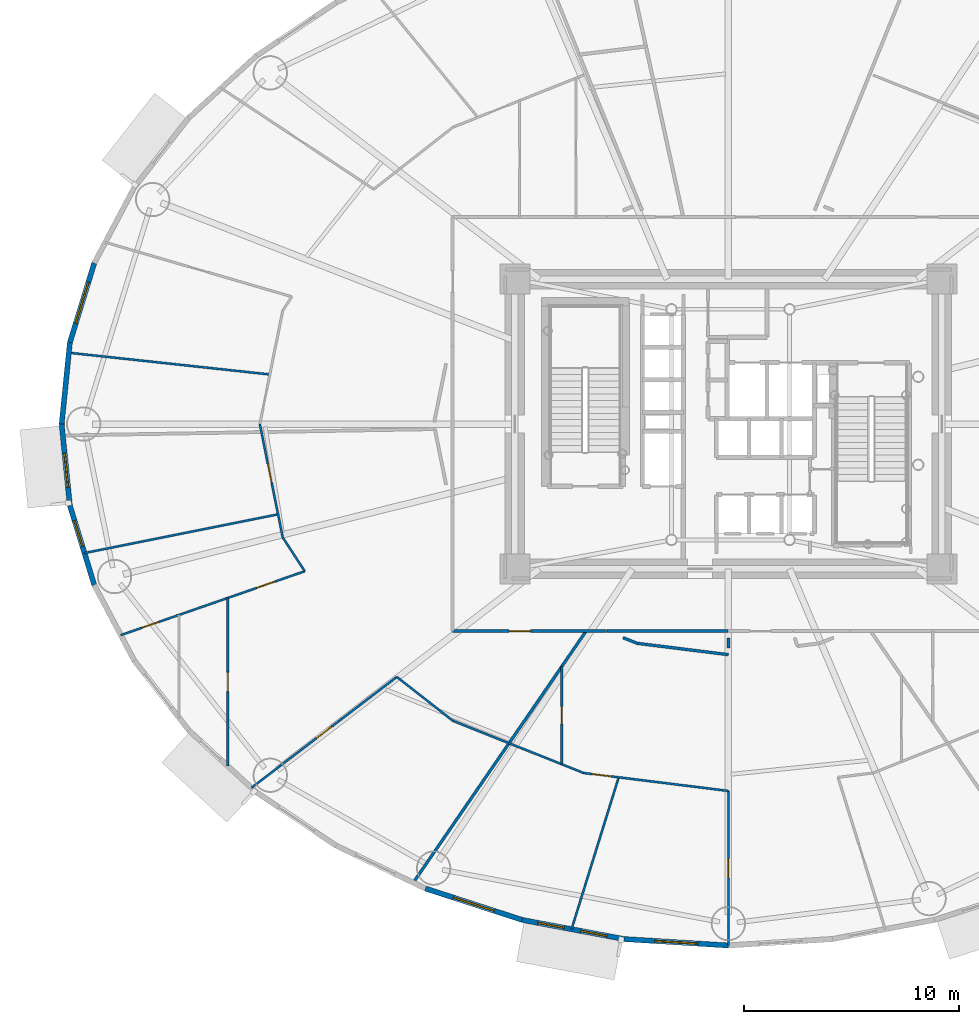
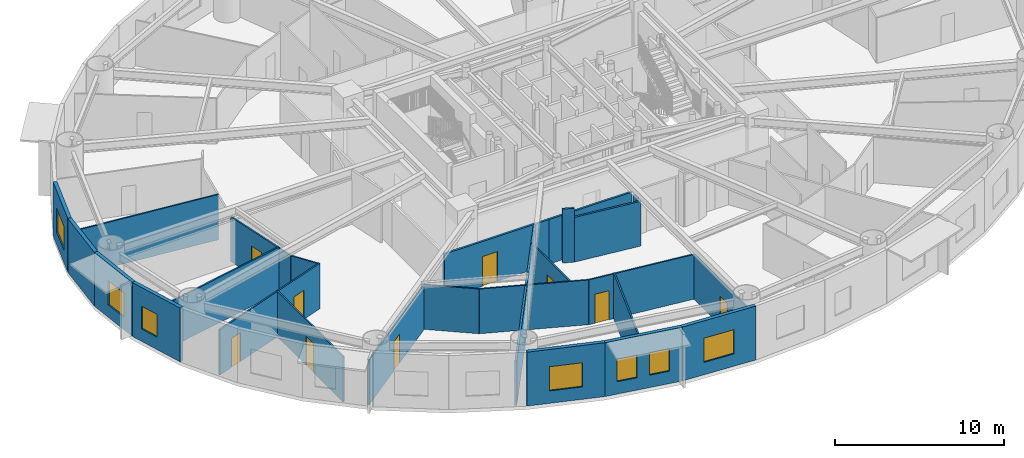
# One storey, part 8 of 21: 26 walls, 9 doors, 7 windows, 16 openings.
"""IFC4 building model written with IfcOpenShell, lengths in metres."""

from ifc_helpers import new_model, si_unit, direction, frame, frame_2d, origin, origin_2d, place, context, subcontext, project, spatial, rectangle, extrude, source, transform, mapped, material, layer, layer_set, type_object, element, fill, save


model = new_model("IFC4")

# Units and contexts
model_context = context("Model", 3, precision=1e-05, world=origin(), true_north=direction((0.0, 1.0)))
body_context = subcontext(model_context, "Body", "Model", "MODEL_VIEW")
ifc_project = project(units=[si_unit("LENGTHUNIT", "METRE"), si_unit("AREAUNIT", "SQUARE_METRE"), si_unit("VOLUMEUNIT", "CUBIC_METRE"), si_unit("PLANEANGLEUNIT", "RADIAN"), si_unit("MASSUNIT", "GRAM", prefix="KILO")], contexts=[model_context])

# Site, building, storey
site_placement = place(None, origin())
site = spatial("IfcSite", under=ifc_project, at=site_placement, CompositionType="ELEMENT")
building_placement = place(site_placement, origin())
building = spatial("IfcBuilding", under=site, at=building_placement, Name="Linh Dai School and Residence Tower", CompositionType="ELEMENT")
storey_placement = place(building_placement, frame((0.0, 0.0, 82.800048828125)))
storey = spatial("IfcBuildingStorey", under=building, at=storey_placement, Name="L19", CompositionType="ELEMENT", Elevation=82.800048828125)

# Wall, opening, window
ifc_material_1 = material(Name="Precast Concrete B45 (C35/45)", Category="concrete")
ifc_layer_1 = layer(ifc_material_1, 0.239990234375)
ifc_layer_set_1 = layer_set([ifc_layer_1], Name="Precast Concrete B45 (C35/45)")
wall_type_1 = type_object("IfcWallType", Name="EW-TC-240", PredefinedType="SOLIDWALL", material=ifc_layer_set_1)
wall_1_placement = place(storey_placement, frame((5.306640625, 30.796875, 0.0), z_axis=(0.0, 0.0, 1.0), x_axis=(0.293111631758, 0.956078224482, 0.0)))
wall_1 = element("IfcWall", 1, at=wall_1_placement, inside=storey, type_object=wall_type_1, Name="L19 Terracotta Exterior Wall 19", PredefinedType="SOLIDWALL", context=body_context, shape_type="SweptSolid", body=[
    extrude(rectangle(XDim=3.874755859375, YDim=0.239990234375, at=frame_2d((1.9375, 0.0))), origin(), (0.0, 0.0, 1.0), 3.89990234375),
])
opening_1_placement = place(wall_1_placement, frame((0.9375, 0.0, 0.89990234375)))
opening_1 = element("IfcOpeningElement", 2, at=opening_1_placement, cuts=wall_1, Name="Opening W1", PredefinedType="OPENING", context=body_context, shape_type="SweptSolid", body=[
    extrude(rectangle(XDim=2.0, YDim=1.75, at=origin_2d()), frame((1.0, 0.1298828125, 0.875), z_axis=(0.0, -1.0, 0.0), x_axis=(1.0, 0.0, 0.0)), (0.0, 0.0, 1.0), 0.260009765625),
])
ifc_material_2 = material(Name="Double Low-E Insulated Glazing", Category="glass")
window_type_1 = type_object("IfcWindowType", Name="WN-RES-2000x1750", PartitioningType="DOUBLE_PANEL_VERTICAL", PredefinedType="WINDOW", material=ifc_material_2)
shared_shape_1 = source(origin(), body_context, "Body", "SweptSolid", [
    extrude(rectangle(XDim=2.0, YDim=1.75, at=origin_2d()), frame((1.0, 0.030029296875, 0.875), z_axis=(0.0, -1.0, 0.0), x_axis=(1.0, 0.0, 0.0)), (0.0, 0.0, 1.0), 0.06005859375),
])
window_1_placement = place(opening_1_placement, origin())
window_1 = element("IfcWindow", 3, at=window_1_placement, inside=storey, type_object=window_type_1, Name="L19 Exterior Window 19.1", OverallHeight=1.75, OverallWidth=2.0, PartitioningType="DOUBLE_PANEL_VERTICAL", PredefinedType="WINDOW", context=body_context, shape_type="MappedRepresentation", body=[
    mapped(shared_shape_1, transform((0.0, 0.0, 0.0), x_axis=(1.0, 0.0, 0.0), y_axis=(0.0, 1.0, 0.0), z_axis=(0.0, 0.0, 1.0), scale=1.0)),
])
fill(opening_1, window_1)

# Wall
wall_2_placement = place(storey_placement, frame((4.925048828125, 27.0, 0.0), z_axis=(0.0, 0.0, 1.0), x_axis=(0.099997795174, 0.994987658698, 0.0)))
element("IfcWall", 4, at=wall_2_placement, inside=storey, type_object=wall_type_1, Name="L19 Terracotta Exterior Wall 20", PredefinedType="SOLIDWALL", context=body_context, shape_type="SweptSolid", body=[
    extrude(rectangle(XDim=3.81591796875, YDim=0.239990234375, at=frame_2d((1.907958984375, 0.0))), origin(), (0.0, 0.0, 1.0), 3.89990234375),
])

# Wall, opening, window
wall_3_placement = place(storey_placement, frame((5.306640625, 23.203125, 0.0), z_axis=(0.0, 0.0, 1.0), x_axis=(-0.099997795174, 0.994987658698, 0.0)))
wall_3 = element("IfcWall", 5, at=wall_3_placement, inside=storey, type_object=wall_type_1, Name="L19 Terracotta Exterior Wall 21", PredefinedType="SOLIDWALL", context=body_context, shape_type="SweptSolid", body=[
    extrude(rectangle(XDim=3.81591796875, YDim=0.239990234375, at=frame_2d((1.907958984375, 0.0))), origin(), (0.0, 0.0, 1.0), 3.89990234375),
])
opening_2_placement = place(wall_3_placement, frame((0.8408203125, 0.0, 0.89990234375)))
opening_2 = element("IfcOpeningElement", 6, at=opening_2_placement, cuts=wall_3, Name="Opening W2", PredefinedType="OPENING", context=body_context, shape_type="SweptSolid", body=[
    extrude(rectangle(XDim=1.60009765625, YDim=1.75, at=origin_2d()), frame((0.800048828125, 0.1298828125, 0.875), z_axis=(0.0, -1.0, 0.0), x_axis=(1.0, 0.0, 0.0)), (0.0, 0.0, 1.0), 0.260009765625),
])
window_type_2 = type_object("IfcWindowType", Name="WN-RES-1600x1750", PartitioningType="DOUBLE_PANEL_VERTICAL", PredefinedType="WINDOW", material=ifc_material_2)
shared_shape_2 = source(origin(), body_context, "Body", "SweptSolid", [
    extrude(rectangle(XDim=1.60009765625, YDim=1.75, at=origin_2d()), frame((0.800048828125, 0.030029296875, 0.875), z_axis=(0.0, -1.0, 0.0), x_axis=(1.0, 0.0, 0.0)), (0.0, 0.0, 1.0), 0.06005859375),
])
window_2_placement = place(opening_2_placement, origin())
window_2 = element("IfcWindow", 7, at=window_2_placement, inside=storey, type_object=window_type_2, Name="L19 Exterior Window 21.1", OverallHeight=1.75, OverallWidth=1.60009765625, PartitioningType="DOUBLE_PANEL_VERTICAL", PredefinedType="WINDOW", context=body_context, shape_type="MappedRepresentation", body=[
    mapped(shared_shape_2, transform((0.0, 0.0, 0.0), x_axis=(1.0, 0.0, 0.0), y_axis=(0.0, 1.0, 0.0), z_axis=(0.0, 0.0, 1.0), scale=1.0)),
])
fill(opening_2, window_2)

wall_4_placement = place(storey_placement, frame((6.4423828125, 19.49853515625, 0.0), z_axis=(0.0, 0.0, 1.0), x_axis=(-0.293111631758, 0.956078224482, 0.0)))
wall_4 = element("IfcWall", 8, at=wall_4_placement, inside=storey, type_object=wall_type_1, Name="L19 Terracotta Exterior Wall 22", PredefinedType="SOLIDWALL", context=body_context, shape_type="SweptSolid", body=[
    extrude(rectangle(XDim=3.874755859375, YDim=0.239990234375, at=frame_2d((1.9375, 0.0))), origin(), (0.0, 0.0, 1.0), 3.89990234375),
])
opening_3_placement = place(wall_4_placement, frame((1.886962890625, 0.0, 0.89990234375)))
opening_3 = element("IfcOpeningElement", 9, at=opening_3_placement, cuts=wall_4, Name="Opening W3", PredefinedType="OPENING", context=body_context, shape_type="SweptSolid", body=[
    extrude(rectangle(XDim=1.25, YDim=1.64990234375, at=origin_2d()), frame((0.625, 0.1298828125, 0.824951171875), z_axis=(0.0, -1.0, 0.0), x_axis=(1.0, 0.0, 0.0)), (0.0, 0.0, 1.0), 0.260009765625),
])
window_type_3 = type_object("IfcWindowType", Name="WN-RES-1250x1650", PartitioningType="SINGLE_PANEL", PredefinedType="WINDOW", material=ifc_material_2)
shared_shape_3 = source(origin(), body_context, "Body", "SweptSolid", [
    extrude(rectangle(XDim=1.25, YDim=1.64990234375, at=origin_2d()), frame((0.625, 0.030029296875, 0.824951171875), z_axis=(0.0, -1.0, 0.0), x_axis=(1.0, 0.0, 0.0)), (0.0, 0.0, 1.0), 0.06005859375),
])
window_3_placement = place(opening_3_placement, origin())
window_3 = element("IfcWindow", 10, at=window_3_placement, inside=storey, type_object=window_type_3, Name="L19 Exterior Window 22.1", OverallHeight=1.64990234375, OverallWidth=1.25, PartitioningType="SINGLE_PANEL", PredefinedType="WINDOW", context=body_context, shape_type="MappedRepresentation", body=[
    mapped(shared_shape_3, transform((0.0, 0.0, 0.0), x_axis=(1.0, 0.0, 0.0), y_axis=(0.0, 1.0, 0.0), z_axis=(0.0, 0.0, 1.0), scale=1.0)),
])
fill(opening_3, window_3)

wall_5_placement = place(storey_placement, frame((26.389404296875, 3.88671875, 0.0), z_axis=(0.0, 0.0, 1.0), x_axis=(-0.951207699013, 0.308551313946, 0.0)))
wall_5 = element("IfcWall", 11, at=wall_5_placement, inside=storey, type_object=wall_type_1, Name="L19 Terracotta Exterior Wall 28", PredefinedType="SOLIDWALL", context=body_context, shape_type="SweptSolid", body=[
    extrude(rectangle(XDim=4.73876953125, YDim=0.239990234375, at=frame_2d((2.369384765625, 0.0))), origin(), (0.0, 0.0, 1.0), 3.89990234375),
])
opening_4_placement = place(wall_5_placement, frame((1.369384765625, 0.0, 0.89990234375)))
opening_4 = element("IfcOpeningElement", 12, at=opening_4_placement, cuts=wall_5, Name="Opening W1", PredefinedType="OPENING", context=body_context, shape_type="SweptSolid", body=[
    extrude(rectangle(XDim=2.0, YDim=1.75, at=origin_2d()), frame((1.0, 0.1298828125, 0.875), z_axis=(0.0, -1.0, 0.0), x_axis=(1.0, 0.0, 0.0)), (0.0, 0.0, 1.0), 0.260009765625),
])
window_4_placement = place(opening_4_placement, origin())
window_4 = element("IfcWindow", 13, at=window_4_placement, inside=storey, type_object=window_type_1, Name="L19 Exterior Window 28.1", OverallHeight=1.75, OverallWidth=2.0, PartitioningType="DOUBLE_PANEL_VERTICAL", PredefinedType="WINDOW", context=body_context, shape_type="MappedRepresentation", body=[
    mapped(shared_shape_1, transform((0.0, 0.0, 0.0), x_axis=(1.0, 0.0, 0.0), y_axis=(0.0, 1.0, 0.0), z_axis=(0.0, 0.0, 1.0), scale=1.0)),
])
fill(opening_4, window_4)

# Wall, openings, windows
wall_6_placement = place(storey_placement, frame((31.134521484375, 2.994873046875, 0.0), z_axis=(0.0, 0.0, 1.0), x_axis=(-0.982791952378, 0.184715939598, 0.0)))
wall_6 = element("IfcWall", 14, at=wall_6_placement, inside=storey, type_object=wall_type_1, Name="L19 Terracotta Exterior Wall 29", PredefinedType="SOLIDWALL", context=body_context, shape_type="SweptSolid", body=[
    extrude(rectangle(XDim=4.828125, YDim=0.239990234375, at=frame_2d((2.4140625, 0.0))), origin(), (0.0, 0.0, 1.0), 3.89990234375),
])
opening_5_placement = place(wall_6_placement, frame((0.80517578125, 0.0, 0.89990234375)))
opening_5 = element("IfcOpeningElement", 15, at=opening_5_placement, cuts=wall_6, Name="Opening W3", PredefinedType="OPENING", context=body_context, shape_type="SweptSolid", body=[
    extrude(rectangle(XDim=1.25, YDim=1.64990234375, at=origin_2d()), frame((0.625, 0.1298828125, 0.824951171875), z_axis=(0.0, -1.0, 0.0), x_axis=(1.0, 0.0, 0.0)), (0.0, 0.0, 1.0), 0.260009765625),
])
opening_6_placement = place(wall_6_placement, frame((2.831298828125, 0.0, 0.89990234375)))
opening_6 = element("IfcOpeningElement", 16, at=opening_6_placement, cuts=wall_6, Name="Opening W3", PredefinedType="OPENING", context=body_context, shape_type="SweptSolid", body=[
    extrude(rectangle(XDim=1.25, YDim=1.64990234375, at=origin_2d()), frame((0.625, 0.1298828125, 0.824951171875), z_axis=(0.0, -1.0, 0.0), x_axis=(1.0, 0.0, 0.0)), (0.0, 0.0, 1.0), 0.260009765625),
])
window_5_placement = place(opening_5_placement, origin())
window_5 = element("IfcWindow", 17, at=window_5_placement, inside=storey, type_object=window_type_3, Name="L19 Exterior Window 29.1", OverallHeight=1.64990234375, OverallWidth=1.25, PartitioningType="SINGLE_PANEL", PredefinedType="WINDOW", context=body_context, shape_type="MappedRepresentation", body=[
    mapped(shared_shape_3, transform((0.0, 0.0, 0.0), x_axis=(1.0, 0.0, 0.0), y_axis=(0.0, 1.0, 0.0), z_axis=(0.0, 0.0, 1.0), scale=1.0)),
])
fill(opening_5, window_5)
window_6_placement = place(opening_6_placement, origin())
window_6 = element("IfcWindow", 18, at=window_6_placement, inside=storey, type_object=window_type_3, Name="L19 Exterior Window 29.2", OverallHeight=1.64990234375, OverallWidth=1.25, PartitioningType="SINGLE_PANEL", PredefinedType="WINDOW", context=body_context, shape_type="MappedRepresentation", body=[
    mapped(shared_shape_3, transform((0.0, 0.0, 0.0), x_axis=(1.0, 0.0, 0.0), y_axis=(0.0, 1.0, 0.0), z_axis=(0.0, 0.0, 1.0), scale=1.0)),
])
fill(opening_6, window_6)

# Wall, opening, window
wall_7_placement = place(storey_placement, frame((36.0, 2.695068359375, 0.0), z_axis=(0.0, 0.0, 1.0), x_axis=(-0.998106954071, 0.061502099433, 0.0)))
wall_7 = element("IfcWall", 19, at=wall_7_placement, inside=storey, type_object=wall_type_1, Name="L19 Terracotta Exterior Wall 30", PredefinedType="SOLIDWALL", context=body_context, shape_type="SweptSolid", body=[
    extrude(rectangle(XDim=4.874755859375, YDim=0.239990234375, at=frame_2d((2.4375, 0.0))), origin(), (0.0, 0.0, 1.0), 3.89990234375),
])
opening_7_placement = place(wall_7_placement, frame((1.437255859375, 0.0, 0.89990234375)))
opening_7 = element("IfcOpeningElement", 20, at=opening_7_placement, cuts=wall_7, Name="Opening W1", PredefinedType="OPENING", context=body_context, shape_type="SweptSolid", body=[
    extrude(rectangle(XDim=2.0, YDim=1.75, at=origin_2d()), frame((1.0, 0.1298828125, 0.875), z_axis=(0.0, -1.0, 0.0), x_axis=(1.0, 0.0, 0.0)), (0.0, 0.0, 1.0), 0.260009765625),
])
window_7_placement = place(opening_7_placement, origin())
window_7 = element("IfcWindow", 21, at=window_7_placement, inside=storey, type_object=window_type_1, Name="L19 Exterior Window 30.1", OverallHeight=1.75, OverallWidth=2.0, PartitioningType="DOUBLE_PANEL_VERTICAL", PredefinedType="WINDOW", context=body_context, shape_type="MappedRepresentation", body=[
    mapped(shared_shape_1, transform((0.0, 0.0, 0.0), x_axis=(1.0, 0.0, 0.0), y_axis=(0.0, 1.0, 0.0), z_axis=(0.0, 0.0, 1.0), scale=1.0)),
])
fill(opening_7, window_7)

# Wall
ifc_material_3 = material(Name="Autoclaved Aerated Concrete Blockwork", Category="masonry")
ifc_layer_2 = layer(ifc_material_3, 0.135009765625)
ifc_layer_set_2 = layer_set([ifc_layer_2], Name="Autoclaved Aerated Concrete Blockwork")
wall_type_2 = type_object("IfcWallType", Name="IW-CORR-135-EI90", PredefinedType="PARTITIONING", material=ifc_layer_set_2)
wall_8_placement = place(storey_placement, frame((21.30859375, 5.618408203125, 0.0), z_axis=(0.0, 0.0, 1.0), x_axis=(0.566302415372, 0.82419753357, 0.0)))
element("IfcWall", 22, at=wall_8_placement, inside=storey, type_object=wall_type_2, Name="L19 Interior Partition Wall 017", PredefinedType="PARTITIONING", context=body_context, shape_type="SweptSolid", body=[
    extrude(rectangle(XDim=14.234130859375, YDim=0.135009765625, at=frame_2d((7.1171875, 0.0))), origin(), (0.0, 0.0, 1.0), 3.23486328125),
])

# Wall, opening, door
wall_9_placement = place(storey_placement, frame((23.14990234375, 17.35009765625, 0.0), z_axis=(0.0, 0.0, 1.0), x_axis=(1.0, 0.0, 0.0)))
wall_9 = element("IfcWall", 23, at=wall_9_placement, inside=storey, type_object=wall_type_2, Name="L19 Interior Partition Wall 019", PredefinedType="PARTITIONING", context=body_context, shape_type="SweptSolid", body=[
    extrude(rectangle(XDim=7.17138671875, YDim=0.135009765625, at=frame_2d((3.585693359375, 0.0))), origin(), (0.0, 0.0, 1.0), 3.23486328125),
])
opening_8_placement = place(wall_9_placement, frame((2.629638671875, 0.0, 0.0)))
opening_8 = element("IfcOpeningElement", 24, at=opening_8_placement, cuts=wall_9, Name="Opening D03", PredefinedType="OPENING", context=body_context, shape_type="SweptSolid", body=[
    extrude(rectangle(XDim=1.0, YDim=2.14990234375, at=origin_2d()), frame((0.5, 0.07763671875, 1.074951171875), z_axis=(0.0, -1.0, 0.0), x_axis=(1.0, 0.0, 0.0)), (0.0, 0.0, 1.0), 0.155029296875),
])
ifc_material_4 = material(Name="Fire-Rated Solid Timber Entrance Door", Category="wood")
door_type_1 = type_object("IfcDoorType", Name="DR-FLAT-1000x2150-FD60S", OperationType="NOTDEFINED", PredefinedType="DOOR", material=ifc_material_4)
shared_shape_4 = source(origin(), body_context, "Body", "SweptSolid", [
    extrude(rectangle(XDim=1.0, YDim=2.14990234375, at=origin_2d()), frame((0.5, 0.02490234375, 1.074951171875), z_axis=(0.0, -1.0, 0.0), x_axis=(1.0, 0.0, 0.0)), (0.0, 0.0, 1.0), 0.050048828125),
])
door_1_placement = place(opening_8_placement, origin())
door_1 = element("IfcDoor", 25, at=door_1_placement, inside=storey, type_object=door_type_1, Name="L19 U1902 Apartment Entrance Door", OperationType="SINGLE_SWING_LEFT", OverallHeight=2.14990234375, OverallWidth=1.0, PredefinedType="DOOR", context=body_context, shape_type="MappedRepresentation", body=[
    mapped(shared_shape_4, transform((0.0, 0.0, 0.0), x_axis=(1.0, 0.0, 0.0), y_axis=(0.0, 1.0, 0.0), z_axis=(0.0, 0.0, 1.0), scale=1.0)),
])
fill(opening_8, door_1)

# Walls
wall_10_placement = place(storey_placement, frame((35.989990234375, 17.35009765625, 0.0), z_axis=(0.0, 0.0, 1.0), x_axis=(-1.0, 0.0, 0.0)))
element("IfcWall", 26, at=wall_10_placement, inside=storey, type_object=wall_type_2, Name="L19 Interior Partition Wall 116", PredefinedType="PARTITIONING", context=body_context, shape_type="SweptSolid", body=[
    extrude(rectangle(XDim=5.65869140625, YDim=0.135009765625, at=frame_2d((2.829345703125, 0.0))), origin(), (0.0, 0.0, 1.0), 3.23486328125),
])
wall_11_placement = place(storey_placement, frame((31.092041015625, 17.04248046875, 0.0), z_axis=(0.0, 0.0, 1.0), x_axis=(0.928805178175, -0.370568402587, 0.0)))
element("IfcWall", 27, at=wall_11_placement, inside=storey, type_object=wall_type_2, Name="L19 Interior Partition Wall 131", PredefinedType="PARTITIONING", context=body_context, shape_type="SweptSolid", body=[
    extrude(rectangle(XDim=0.716796875, YDim=0.135009765625, at=frame_2d((0.3583984375, 0.0))), origin(), (0.0, 0.0, 1.0), 3.89990234375),
])
wall_12_placement = place(storey_placement, frame((31.7578125, 16.77685546875, 0.0), z_axis=(0.0, 0.0, 1.0), x_axis=(0.992396914345, -0.123078691898, 0.0)))
element("IfcWall", 28, at=wall_12_placement, inside=storey, type_object=wall_type_2, Name="L19 Interior Partition Wall 132", PredefinedType="PARTITIONING", context=body_context, shape_type="SweptSolid", body=[
    extrude(rectangle(XDim=4.274658203125, YDim=0.135009765625, at=frame_2d((2.13720703125, 0.0))), origin(), (0.0, 0.0, 1.0), 3.23486328125),
])
wall_13_placement = place(storey_placement, frame((36.0, 16.560546875, 0.0), z_axis=(0.0, 0.0, 1.0), x_axis=(0.0, 1.0, 0.0)))
element("IfcWall", 29, at=wall_13_placement, inside=storey, type_object=wall_type_2, Name="L19 Interior Partition Wall 133", PredefinedType="PARTITIONING", context=body_context, shape_type="SweptSolid", body=[
    extrude(rectangle(XDim=0.4619140625, YDim=0.135009765625, at=frame_2d((0.23095703125, 0.0))), origin(), (0.0, 0.0, 1.0), 3.23486328125),
])
ifc_material_5 = material(Name="Gypsum Plasterboard Acoustic Stud Partition", Category="masonry")
ifc_layer_3 = layer(ifc_material_5, 0.10009765625)
ifc_layer_set_3 = layer_set([ifc_layer_3], Name="Gypsum Plasterboard Acoustic Stud Partition")
wall_type_3 = type_object("IfcWallType", Name="IW-UNIT-100", PredefinedType="PARTITIONING", material=ifc_layer_set_3)
wall_14_placement = place(storey_placement, frame((5.254150390625, 30.323974609375, 0.0), z_axis=(0.0, 0.0, 1.0), x_axis=(0.994205925685, -0.107492219871, 0.0)))
element("IfcWall", 30, at=wall_14_placement, inside=storey, type_object=wall_type_3, Name="L19 Interior Partition Wall 002", PredefinedType="PARTITIONING", context=body_context, shape_type="SweptSolid", body=[
    extrude(rectangle(XDim=9.427978515625, YDim=0.10009765625, at=frame_2d((4.7138671875, 0.0))), origin(), (0.0, 0.0, 1.0), 3.284912109375),
])
wall_15_placement = place(storey_placement, frame((5.982177734375, 20.9833984375, 0.0), z_axis=(0.0, 0.0, 1.0), x_axis=(0.980501056264, 0.19651381291, 0.0)))
element("IfcWall", 31, at=wall_15_placement, inside=storey, type_object=wall_type_3, Name="L19 Interior Partition Wall 003", PredefinedType="PARTITIONING", context=body_context, shape_type="SweptSolid", body=[
    extrude(rectangle(XDim=9.208251953125, YDim=0.10009765625, at=frame_2d((4.60400390625, 0.0))), origin(), (0.0, 0.0, 1.0), 3.284912109375),
])

# Wall, openings, doors
wall_16_placement = place(storey_placement, frame((7.6748046875, 17.158447265625, 0.0), z_axis=(0.0, 0.0, 1.0), x_axis=(0.944607706733, 0.328201584976, 0.0)))
wall_16 = element("IfcWall", 32, at=wall_16_placement, inside=storey, type_object=wall_type_3, Name="L19 Interior Partition Wall 005", PredefinedType="PARTITIONING", context=body_context, shape_type="SweptSolid", body=[
    extrude(rectangle(XDim=9.082763671875, YDim=0.10009765625, at=frame_2d((4.54150390625, 0.0))), origin(), (0.0, 0.0, 1.0), 3.284912109375),
])
opening_9_placement = place(wall_16_placement, frame((6.712890625, 0.0, 0.0)))
opening_9 = element("IfcOpeningElement", 33, at=opening_9_placement, cuts=wall_16, Name="Opening D05", PredefinedType="OPENING", context=body_context, shape_type="SweptSolid", body=[
    extrude(rectangle(XDim=0.89990234375, YDim=2.10009765625, at=origin_2d()), frame((0.449951171875, 0.06005859375, 1.050048828125), z_axis=(0.0, -1.0, 0.0), x_axis=(1.0, 0.0, 0.0)), (0.0, 0.0, 1.0), 0.1201171875),
])
opening_10_placement = place(wall_16_placement, frame((1.045654296875, 0.0, 0.0)))
opening_10 = element("IfcOpeningElement", 34, at=opening_10_placement, cuts=wall_16, Name="Opening D06", PredefinedType="OPENING", context=body_context, shape_type="SweptSolid", body=[
    extrude(rectangle(XDim=0.820068359375, YDim=2.10009765625, at=origin_2d()), frame((0.41015625, 0.06005859375, 1.050048828125), z_axis=(0.0, -1.0, 0.0), x_axis=(1.0, 0.0, 0.0)), (0.0, 0.0, 1.0), 0.1201171875),
])
ifc_material_6 = material(Name="Moisture-Resistant Timber Bathroom Door", Category="wood")
door_type_2 = type_object("IfcDoorType", Name="DR-WET-820x2100", OperationType="NOTDEFINED", PredefinedType="DOOR", material=ifc_material_6)
shared_shape_5 = source(origin(), body_context, "Body", "SweptSolid", [
    extrude(rectangle(XDim=0.820068359375, YDim=2.10009765625, at=origin_2d()), frame((0.41015625, 0.02490234375, 1.050048828125), z_axis=(0.0, -1.0, 0.0), x_axis=(1.0, 0.0, 0.0)), (0.0, 0.0, 1.0), 0.050048828125),
])
door_2_placement = place(opening_10_placement, origin())
door_2 = element("IfcDoor", 35, at=door_2_placement, inside=storey, type_object=door_type_2, Name="L19 Apartment U1902 Bathroom 1 Door", OperationType="SINGLE_SWING_LEFT", OverallHeight=2.10009765625, OverallWidth=0.820068359375, PredefinedType="DOOR", context=body_context, shape_type="MappedRepresentation", body=[
    mapped(shared_shape_5, transform((0.0, 0.0, 0.0), x_axis=(1.0, 0.0, 0.0), y_axis=(0.0, 1.0, 0.0), z_axis=(0.0, 0.0, 1.0), scale=1.0)),
])
fill(opening_10, door_2)
ifc_material_7 = material(Name="Engineered Timber Internal Door", Category="wood")
door_type_3 = type_object("IfcDoorType", Name="DR-INT-900x2100", OperationType="NOTDEFINED", PredefinedType="DOOR", material=ifc_material_7)
shared_shape_6 = source(origin(), body_context, "Body", "SweptSolid", [
    extrude(rectangle(XDim=0.89990234375, YDim=2.10009765625, at=origin_2d()), frame((0.449951171875, 0.02490234375, 1.050048828125), z_axis=(0.0, -1.0, 0.0), x_axis=(1.0, 0.0, 0.0)), (0.0, 0.0, 1.0), 0.050048828125),
])
door_3_placement = place(opening_9_placement, origin())
door_3 = element("IfcDoor", 36, at=door_3_placement, inside=storey, type_object=door_type_3, Name="L19 Apartment U1902 Study Door", OperationType="SINGLE_SWING_LEFT", OverallHeight=2.10009765625, OverallWidth=0.89990234375, PredefinedType="DOOR", context=body_context, shape_type="MappedRepresentation", body=[
    mapped(shared_shape_6, transform((0.0, 0.0, 0.0), x_axis=(1.0, 0.0, 0.0), y_axis=(0.0, 1.0, 0.0), z_axis=(0.0, 0.0, 1.0), scale=1.0)),
])
fill(opening_9, door_3)

# Wall, opening, door
wall_17_placement = place(storey_placement, frame((12.6650390625, 11.054931640625, 0.0), z_axis=(0.0, 0.0, 1.0), x_axis=(0.0, 1.0, 0.0)))
wall_17 = element("IfcWall", 37, at=wall_17_placement, inside=storey, type_object=wall_type_3, Name="L19 Interior Partition Wall 008", PredefinedType="PARTITIONING", context=body_context, shape_type="SweptSolid", body=[
    extrude(rectangle(XDim=7.83740234375, YDim=0.10009765625, at=frame_2d((3.918701171875, 0.0))), origin(), (0.0, 0.0, 1.0), 3.284912109375),
])
opening_11_placement = place(wall_17_placement, frame((3.468505859375, 0.0, 0.0)))
opening_11 = element("IfcOpeningElement", 38, at=opening_11_placement, cuts=wall_17, Name="Opening D05", PredefinedType="OPENING", context=body_context, shape_type="SweptSolid", body=[
    extrude(rectangle(XDim=0.89990234375, YDim=2.10009765625, at=origin_2d()), frame((0.449951171875, 0.06005859375, 1.050048828125), z_axis=(0.0, -1.0, 0.0), x_axis=(1.0, 0.0, 0.0)), (0.0, 0.0, 1.0), 0.1201171875),
])
door_4_placement = place(opening_11_placement, origin())
door_4 = element("IfcDoor", 39, at=door_4_placement, inside=storey, type_object=door_type_3, Name="L19 Apartment U1902 Kitchen Door", OperationType="SINGLE_SWING_RIGHT", OverallHeight=2.10009765625, OverallWidth=0.89990234375, PredefinedType="DOOR", context=body_context, shape_type="MappedRepresentation", body=[
    mapped(shared_shape_6, transform((0.0, 0.0, 0.0), x_axis=(1.0, 0.0, 0.0), y_axis=(0.0, 1.0, 0.0), z_axis=(0.0, 0.0, 1.0), scale=1.0)),
])
fill(opening_11, door_4)

wall_18_placement = place(storey_placement, frame((13.768310546875, 10.04345703125, 0.0), z_axis=(0.0, 0.0, 1.0), x_axis=(0.795121316636, 0.606450403439, 0.0)))
wall_18 = element("IfcWall", 40, at=wall_18_placement, inside=storey, type_object=wall_type_3, Name="L19 Interior Partition Wall 009", PredefinedType="PARTITIONING", context=body_context, shape_type="SweptSolid", body=[
    extrude(rectangle(XDim=8.52490234375, YDim=0.10009765625, at=frame_2d((4.262451171875, 0.0))), origin(), (0.0, 0.0, 1.0), 3.23486328125),
])
opening_12_placement = place(wall_18_placement, frame((3.8125, 0.0, 0.0)))
opening_12 = element("IfcOpeningElement", 41, at=opening_12_placement, cuts=wall_18, Name="Opening D05", PredefinedType="OPENING", context=body_context, shape_type="SweptSolid", body=[
    extrude(rectangle(XDim=0.89990234375, YDim=2.10009765625, at=origin_2d()), frame((0.449951171875, 0.06005859375, 1.050048828125), z_axis=(0.0, -1.0, 0.0), x_axis=(1.0, 0.0, 0.0)), (0.0, 0.0, 1.0), 0.1201171875),
])
door_5_placement = place(opening_12_placement, origin())
door_5 = element("IfcDoor", 42, at=door_5_placement, inside=storey, type_object=door_type_3, Name="L19 Apartment U1902 Principal Bedroom 2 Door", OperationType="SINGLE_SWING_RIGHT", OverallHeight=2.10009765625, OverallWidth=0.89990234375, PredefinedType="DOOR", context=body_context, shape_type="MappedRepresentation", body=[
    mapped(shared_shape_6, transform((0.0, 0.0, 0.0), x_axis=(1.0, 0.0, 0.0), y_axis=(0.0, 1.0, 0.0), z_axis=(0.0, 0.0, 1.0), scale=1.0)),
])
fill(opening_12, door_5)

wall_19_placement = place(storey_placement, frame((14.159912109375, 27.0, 0.0), z_axis=(0.0, 0.0, 1.0), x_axis=(0.198292702032, -0.980142848936, 0.0)))
wall_19 = element("IfcWall", 43, at=wall_19_placement, inside=storey, type_object=wall_type_3, Name="L19 Interior Partition Wall 010", PredefinedType="PARTITIONING", context=body_context, shape_type="SweptSolid", body=[
    extrude(rectangle(XDim=5.3916015625, YDim=0.10009765625, at=frame_2d((2.69580078125, 0.0))), origin(), (0.0, 0.0, 1.0), 3.23486328125),
])
opening_13_placement = place(wall_19_placement, frame((1.88720703125, 0.0, 0.0)))
opening_13 = element("IfcOpeningElement", 44, at=opening_13_placement, cuts=wall_19, Name="Opening D05", PredefinedType="OPENING", context=body_context, shape_type="SweptSolid", body=[
    extrude(rectangle(XDim=0.89990234375, YDim=2.10009765625, at=origin_2d()), frame((0.449951171875, 0.06005859375, 1.050048828125), z_axis=(0.0, -1.0, 0.0), x_axis=(1.0, 0.0, 0.0)), (0.0, 0.0, 1.0), 0.1201171875),
])
door_6_placement = place(opening_13_placement, origin())
door_6 = element("IfcDoor", 45, at=door_6_placement, inside=storey, type_object=door_type_3, Name="L19 Apartment U1902 Principal Bedroom 1 Door", OperationType="SINGLE_SWING_RIGHT", OverallHeight=2.10009765625, OverallWidth=0.89990234375, PredefinedType="DOOR", context=body_context, shape_type="MappedRepresentation", body=[
    mapped(shared_shape_6, transform((0.0, 0.0, 0.0), x_axis=(1.0, 0.0, 0.0), y_axis=(0.0, 1.0, 0.0), z_axis=(0.0, 0.0, 1.0), scale=1.0)),
])
fill(opening_13, door_6)

# Walls
wall_20_placement = place(storey_placement, frame((15.22900390625, 21.715576171875, 0.0), z_axis=(0.0, 0.0, 1.0), x_axis=(0.545316895374, -0.838229970604, 0.0)))
element("IfcWall", 46, at=wall_20_placement, inside=storey, type_object=wall_type_3, Name="L19 Interior Partition Wall 012", PredefinedType="PARTITIONING", context=body_context, shape_type="SweptSolid", body=[
    extrude(rectangle(XDim=1.88037109375, YDim=0.10009765625, at=frame_2d((0.940185546875, 0.0))), origin(), (0.0, 0.0, 1.0), 3.23486328125),
])
wall_21_placement = place(storey_placement, frame((20.546630859375, 15.21337890625, 0.0), z_axis=(0.0, 0.0, 1.0), x_axis=(0.78737784261, -0.616470707307, 0.0)))
element("IfcWall", 47, at=wall_21_placement, inside=storey, type_object=wall_type_3, Name="L19 Interior Partition Wall 016", PredefinedType="PARTITIONING", context=body_context, shape_type="SweptSolid", body=[
    extrude(rectangle(XDim=3.32275390625, YDim=0.10009765625, at=frame_2d((1.661376953125, 0.0))), origin(), (0.0, 0.0, 1.0), 3.23486328125),
])
wall_22_placement = place(storey_placement, frame((23.162841796875, 13.1650390625, 0.0), z_axis=(0.0, 0.0, 1.0), x_axis=(0.928799979038, -0.370581433613, 0.0)))
element("IfcWall", 48, at=wall_22_placement, inside=storey, type_object=wall_type_3, Name="L19 Interior Partition Wall 022", PredefinedType="PARTITIONING", context=body_context, shape_type="SweptSolid", body=[
    extrude(rectangle(XDim=6.55517578125, YDim=0.10009765625, at=frame_2d((3.277587890625, 0.0))), origin(), (0.0, 0.0, 1.0), 3.23486328125),
])

# Wall, opening, door
wall_23_placement = place(storey_placement, frame((28.230712890625, 11.14306640625, 0.0), z_axis=(0.0, 0.0, 1.0), x_axis=(0.0, 1.0, 0.0)))
wall_23 = element("IfcWall", 49, at=wall_23_placement, inside=storey, type_object=wall_type_3, Name="L19 Interior Partition Wall 027", PredefinedType="PARTITIONING", context=body_context, shape_type="SweptSolid", body=[
    extrude(rectangle(XDim=4.549560546875, YDim=0.10009765625, at=frame_2d((2.27490234375, 0.0))), origin(), (0.0, 0.0, 1.0), 3.23486328125),
])
opening_14_placement = place(wall_23_placement, frame((1.86474609375, 0.0, 0.0)))
opening_14 = element("IfcOpeningElement", 50, at=opening_14_placement, cuts=wall_23, Name="Opening D06", PredefinedType="OPENING", context=body_context, shape_type="SweptSolid", body=[
    extrude(rectangle(XDim=0.820068359375, YDim=2.10009765625, at=origin_2d()), frame((0.41015625, 0.06005859375, 1.050048828125), z_axis=(0.0, -1.0, 0.0), x_axis=(1.0, 0.0, 0.0)), (0.0, 0.0, 1.0), 0.1201171875),
])
door_7_placement = place(opening_14_placement, origin())
door_7 = element("IfcDoor", 51, at=door_7_placement, inside=storey, type_object=door_type_2, Name="L19 Apartment U1903 Bathroom 1 Door", OperationType="SINGLE_SWING_LEFT", OverallHeight=2.10009765625, OverallWidth=0.820068359375, PredefinedType="DOOR", context=body_context, shape_type="MappedRepresentation", body=[
    mapped(shared_shape_5, transform((0.0, 0.0, 0.0), x_axis=(1.0, 0.0, 0.0), y_axis=(0.0, 1.0, 0.0), z_axis=(0.0, 0.0, 1.0), scale=1.0)),
])
fill(opening_14, door_7)

# Wall
wall_24_placement = place(storey_placement, frame((28.68896484375, 3.449462890625, 0.0), z_axis=(0.0, 0.0, 1.0), x_axis=(0.296478934609, 0.955039392556, 0.0)))
element("IfcWall", 52, at=wall_24_placement, inside=storey, type_object=wall_type_3, Name="L19 Interior Partition Wall 028", PredefinedType="PARTITIONING", context=body_context, shape_type="SweptSolid", body=[
    extrude(rectangle(XDim=7.4169921875, YDim=0.10009765625, at=frame_2d((3.70849609375, 0.0))), origin(), (0.0, 0.0, 1.0), 3.284912109375),
])

# Wall, opening, door
wall_25_placement = place(storey_placement, frame((29.2509765625, 10.736083984375, 0.0), z_axis=(0.0, 0.0, 1.0), x_axis=(0.992394520877, -0.123097989151, 0.0)))
wall_25 = element("IfcWall", 53, at=wall_25_placement, inside=storey, type_object=wall_type_3, Name="L19 Interior Partition Wall 031", PredefinedType="PARTITIONING", context=body_context, shape_type="SweptSolid", body=[
    extrude(rectangle(XDim=6.80078125, YDim=0.10009765625, at=frame_2d((3.400390625, 0.0))), origin(), (0.0, 0.0, 1.0), 3.23486328125),
])
opening_15_placement = place(wall_25_placement, frame((0.394775390625, 0.0, 0.0)))
opening_15 = element("IfcOpeningElement", 54, at=opening_15_placement, cuts=wall_25, Name="Opening D05", PredefinedType="OPENING", context=body_context, shape_type="SweptSolid", body=[
    extrude(rectangle(XDim=0.89990234375, YDim=2.10009765625, at=origin_2d()), frame((0.449951171875, 0.06005859375, 1.050048828125), z_axis=(0.0, -1.0, 0.0), x_axis=(1.0, 0.0, 0.0)), (0.0, 0.0, 1.0), 0.1201171875),
])
door_8_placement = place(opening_15_placement, origin())
door_8 = element("IfcDoor", 55, at=door_8_placement, inside=storey, type_object=door_type_3, Name="L19 Apartment U1903 Principal Bedroom 1 Door", OperationType="SINGLE_SWING_RIGHT", OverallHeight=2.10009765625, OverallWidth=0.89990234375, PredefinedType="DOOR", context=body_context, shape_type="MappedRepresentation", body=[
    mapped(shared_shape_6, transform((0.0, 0.0, 0.0), x_axis=(1.0, 0.0, 0.0), y_axis=(0.0, 1.0, 0.0), z_axis=(0.0, 0.0, 1.0), scale=1.0)),
])
fill(opening_15, door_8)

wall_26_placement = place(storey_placement, frame((36.0, 2.68994140625, 0.0), z_axis=(0.0, 0.0, 1.0), x_axis=(0.0, 1.0, 0.0)))
wall_26 = element("IfcWall", 56, at=wall_26_placement, inside=storey, type_object=wall_type_3, Name="L19 Interior Partition Wall 055", PredefinedType="PARTITIONING", context=body_context, shape_type="SweptSolid", body=[
    extrude(rectangle(XDim=7.208984375, YDim=0.10009765625, at=frame_2d((3.6044921875, 0.0))), origin(), (0.0, 0.0, 1.0), 3.23486328125),
])
opening_16_placement = place(wall_26_placement, frame((3.154541015625, 0.0, 0.0)))
opening_16 = element("IfcOpeningElement", 57, at=opening_16_placement, cuts=wall_26, Name="Opening D05", PredefinedType="OPENING", context=body_context, shape_type="SweptSolid", body=[
    extrude(rectangle(XDim=0.89990234375, YDim=2.10009765625, at=origin_2d()), frame((0.449951171875, 0.06005859375, 1.050048828125), z_axis=(0.0, -1.0, 0.0), x_axis=(1.0, 0.0, 0.0)), (0.0, 0.0, 1.0), 0.1201171875),
])
door_9_placement = place(opening_16_placement, origin())
door_9 = element("IfcDoor", 58, at=door_9_placement, inside=storey, type_object=door_type_3, Name="L19 Apartment U1903 Principal Bedroom 2 Door", OperationType="SINGLE_SWING_LEFT", OverallHeight=2.10009765625, OverallWidth=0.89990234375, PredefinedType="DOOR", context=body_context, shape_type="MappedRepresentation", body=[
    mapped(shared_shape_6, transform((0.0, 0.0, 0.0), x_axis=(1.0, 0.0, 0.0), y_axis=(0.0, 1.0, 0.0), z_axis=(0.0, 0.0, 1.0), scale=1.0)),
])
fill(opening_16, door_9)

save(model, "model.ifc")
